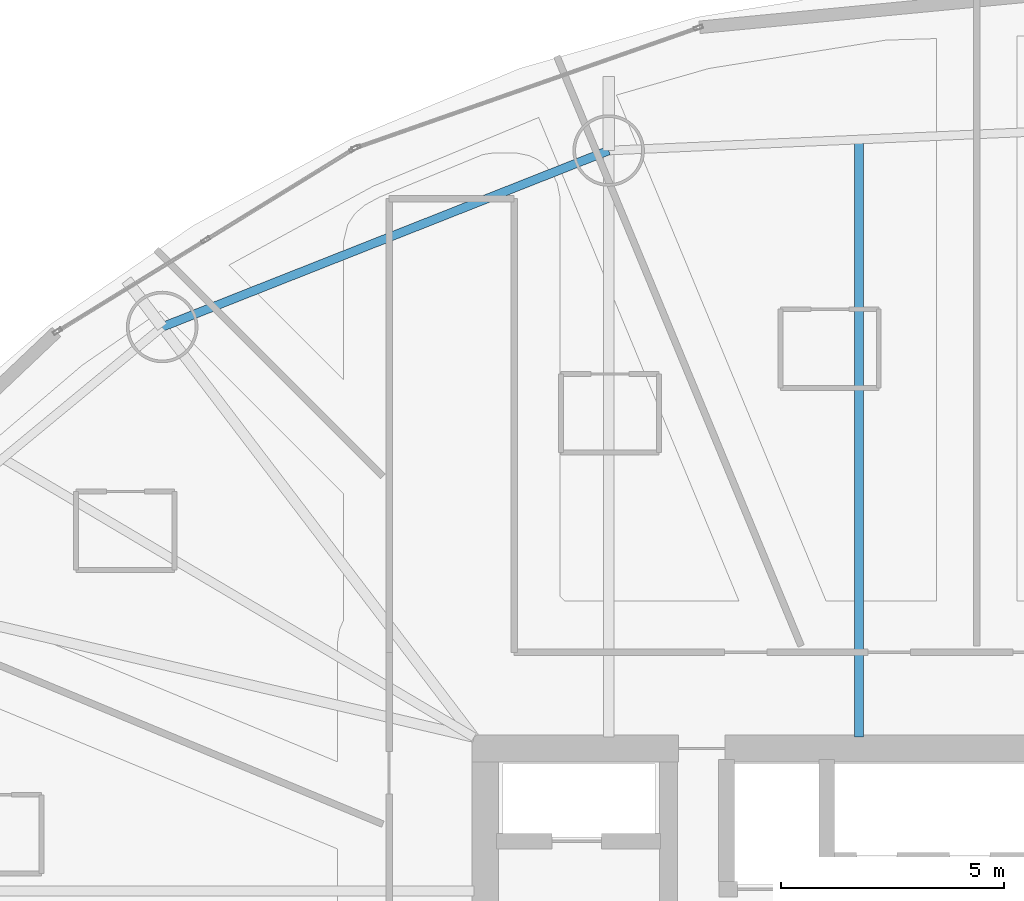
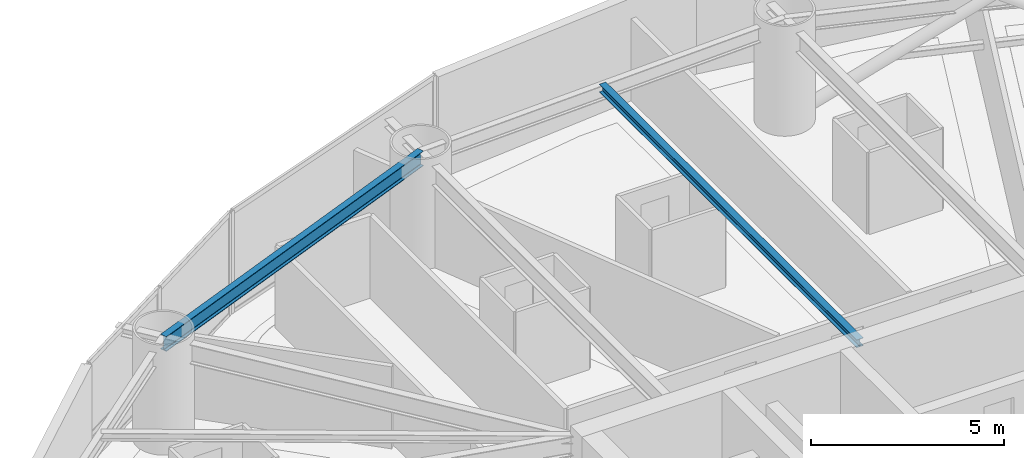
# One storey, part 13 of 27: 2 beams.
"""IFC4 building model written with IfcOpenShell, lengths in metres."""

from ifc_helpers import new_model, si_unit, direction, frame, origin, origin_2d, place, context, subcontext, project, spatial, i_section, extrude, material, material_profile, profile_set, type_object, element, save


model = new_model("IFC4")

# Units and contexts
model_context = context("Model", 3, precision=1e-05, world=origin(), true_north=direction((0.0, 1.0)))
body_context = subcontext(model_context, "Body", "Model", "MODEL_VIEW")
ifc_project = project(units=[si_unit("LENGTHUNIT", "METRE"), si_unit("AREAUNIT", "SQUARE_METRE"), si_unit("VOLUMEUNIT", "CUBIC_METRE"), si_unit("PLANEANGLEUNIT", "RADIAN"), si_unit("MASSUNIT", "GRAM", prefix="KILO")], contexts=[model_context])

# Site, building, storey
site_placement = place(None, origin())
site = spatial("IfcSite", under=ifc_project, at=site_placement, CompositionType="ELEMENT")
building_placement = place(site_placement, origin())
building = spatial("IfcBuilding", under=site, at=building_placement, Name="Bramvorn Convention Spire", CompositionType="ELEMENT")
storey_placement = place(building_placement, frame((0.0, 0.0, 44.89990234375)))
storey = spatial("IfcBuildingStorey", under=building, at=storey_placement, Name="L08", CompositionType="ELEMENT", Elevation=44.89990234375)

# Beams
ifc_material = material(Name="Steel CSA G40.21 Grade 350 (350W)", Category="steel")
ifc_material_profile_1 = material_profile(ifc_material, i_section(OverallWidth=0.201904296875, OverallDepth=0.2470703125, WebThickness=0.00732421875, FlangeThickness=0.010986328125, FilletRadius=0.011962890625, at=origin_2d()))
ifc_profile_set_1 = profile_set([ifc_material_profile_1], Name="Steel CSA G40.21 Grade 350 (350W) - W250X49")
beam_type_1 = type_object("IfcBeamType", Name="BM-W250X49", PredefinedType="JOIST", material=ifc_profile_set_1)
beam_1_placement = place(storey_placement, frame((35.361572265625, 33.449951171875, 3.126708984375), z_axis=(0.0, 1.0, 0.0), x_axis=(-1.0, 0.0, 0.0)))
element("IfcBeam", 1, at=beam_1_placement, inside=storey, type_object=beam_type_1, Name="L08 composite floor joist 05", PredefinedType="JOIST", context=body_context, shape_type="SweptSolid", body=[
    extrude(i_section(OverallWidth=0.201904296875, OverallDepth=0.2470703125, WebThickness=0.00732421875, FlangeThickness=0.010986328125, FilletRadius=0.011962890625, at=origin_2d()), origin(), (0.0, 0.0, 1.0), 13.372802734375),
])
ifc_material_profile_2 = material_profile(ifc_material, i_section(OverallWidth=0.194091796875, OverallDepth=0.468994140625, WebThickness=0.0126953125, FlangeThickness=0.0205078125, FilletRadius=0.01806640625, at=origin_2d()))
ifc_profile_set_2 = profile_set([ifc_material_profile_2], Name="Steel CSA G40.21 Grade 350 (350W) - W460X106")
beam_type_2 = type_object("IfcBeamType", Name="BM-W460X106", PredefinedType="SPANDREL", material=ifc_profile_set_2)
beam_2_placement = place(storey_placement, frame((29.76220703125, 46.57666015625, 3.015625), z_axis=(-0.93000950609, -0.367535465749, 0.0), x_axis=(0.367535465749, -0.93000950609, 0.0)))
element("IfcBeam", 2, at=beam_2_placement, inside=storey, type_object=beam_type_2, Name="L08 mega-column ring beam 06", PredefinedType="SPANDREL", context=body_context, shape_type="SweptSolid", body=[
    extrude(i_section(OverallWidth=0.194091796875, OverallDepth=0.468994140625, WebThickness=0.0126953125, FlangeThickness=0.0205078125, FilletRadius=0.01806640625, at=origin_2d()), origin(), (0.0, 0.0, 1.0), 10.74169921875),
])

save(model, "model.ifc")
